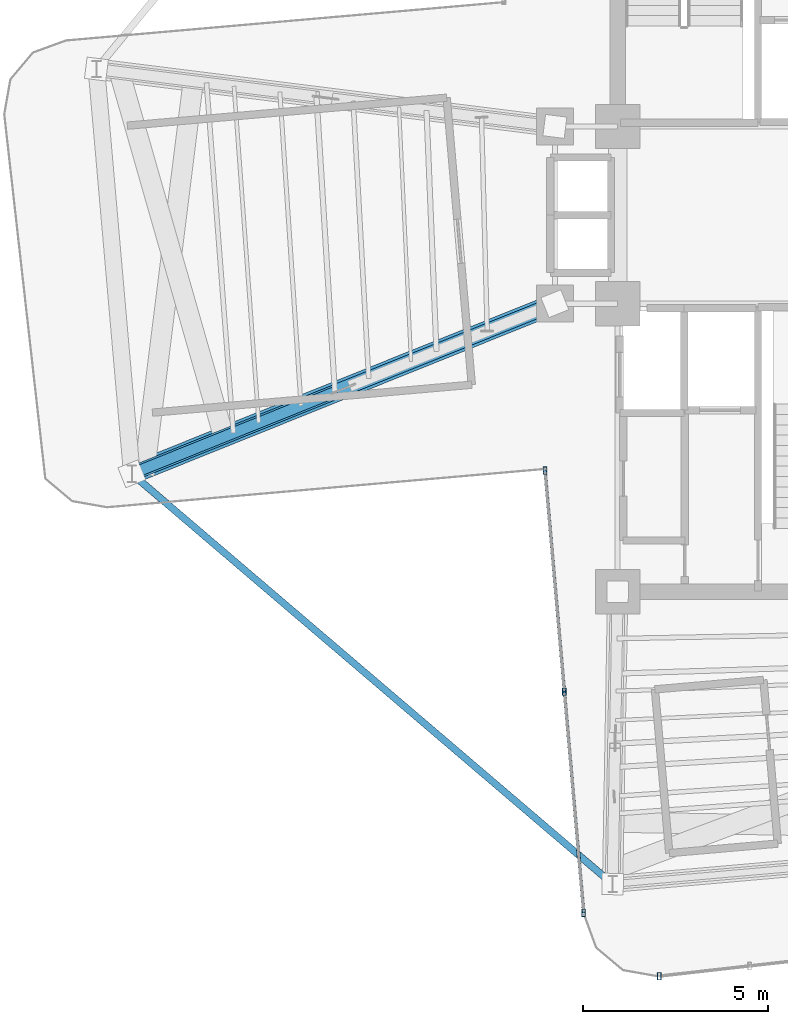
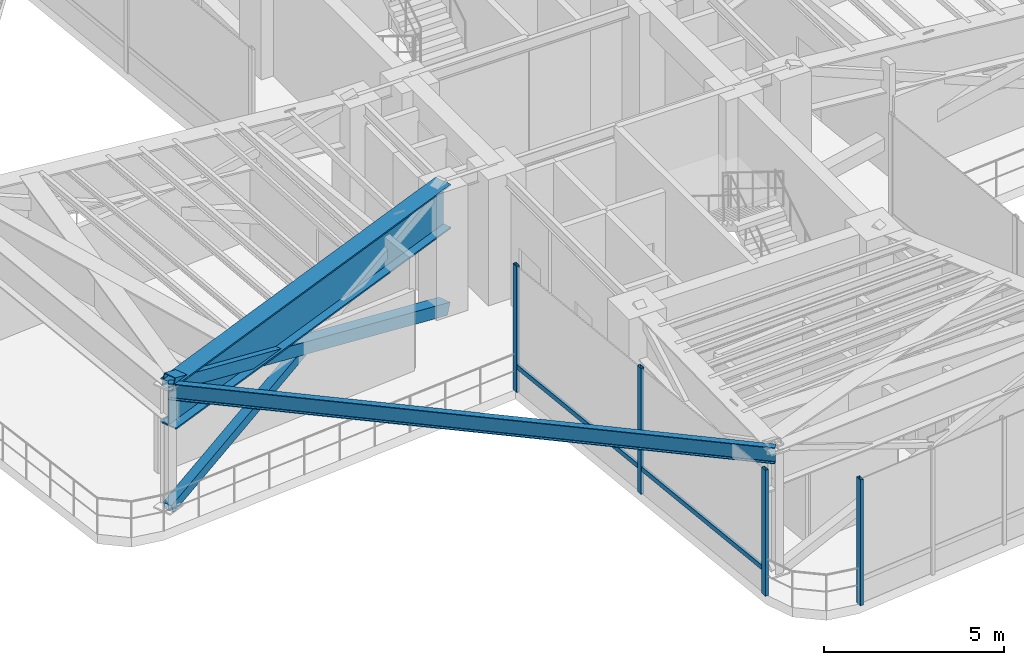
# One storey, part 3 of 17: 8 members, 2 beams, 2 elements without a shape of their own.
"""IFC4 building model written with IfcOpenShell, lengths in metres."""

from ifc_helpers import new_model, si_unit, direction, frame, origin, origin_2d, place, context, subcontext, project, spatial, hollow_rectangle, i_section, extrude, source, transform, mapped, material, material_profile, profile_set, type_object, element, aggregate, save


model = new_model("IFC4")

# Units and contexts
model_context = context("Model", 3, precision=1e-05, world=origin(), true_north=direction((0.0, 1.0)))
body_context = subcontext(model_context, "Body", "Model", "MODEL_VIEW")
ifc_project = project(units=[si_unit("LENGTHUNIT", "METRE"), si_unit("AREAUNIT", "SQUARE_METRE"), si_unit("VOLUMEUNIT", "CUBIC_METRE"), si_unit("PLANEANGLEUNIT", "RADIAN"), si_unit("MASSUNIT", "GRAM", prefix="KILO")], contexts=[model_context])

# Site, building, storey
site_placement = place(None, origin())
site = spatial("IfcSite", under=ifc_project, at=site_placement, CompositionType="ELEMENT")
building_placement = place(site_placement, origin())
building = spatial("IfcBuilding", under=site, at=building_placement, Name="Sahyath Konkavel Grand Hotel", CompositionType="ELEMENT")
storey_placement = place(building_placement, frame((0.0, 0.0, 202.0)))
storey = spatial("IfcBuildingStorey", under=building, at=storey_placement, Name="L56", CompositionType="ELEMENT", Elevation=202.0)

# Beams
ifc_material_1 = material(Name="Steel E450", Category="steel")
ifc_material_profile_1 = material_profile(ifc_material_1, i_section(OverallWidth=0.550048828125, OverallDepth=1.5, WebThickness=0.028076171875, FlangeThickness=0.050048828125, at=origin_2d()), Name="BPG 1500x550")
ifc_profile_set_1 = profile_set([ifc_material_profile_1], Name="Steel E450")
beam_type_1 = type_object("IfcBeamType", Name="BM-BPG1500", PredefinedType="BEAM", material=ifc_profile_set_1)
shared_shape_1 = source(origin(), body_context, "Body", "SweptSolid", [
    extrude(i_section(OverallWidth=0.550048828125, OverallDepth=1.5, WebThickness=0.028076171875, FlangeThickness=0.050048828125, at=origin_2d()), origin(), (0.0, 0.0, 1.0), 12.344970703125),
])
beam_1_placement = place(storey_placement, frame((-5.5, -2.39990234375, 3.510009765625), z_axis=(-0.927837014101, -0.372985891507, 0.0), x_axis=(0.372985891507, -0.927837014101, 0.0)))
element("IfcBeam", 1, at=beam_1_placement, inside=storey, type_object=beam_type_1, Name="L56 Setback Transfer Girder WB", PredefinedType="BEAM", context=body_context, shape_type="MappedRepresentation", body=[
    mapped(shared_shape_1, transform((0.0, 0.0, 0.0), scale=1.0)),
])
ifc_material_2 = material(Name="Steel E350", Category="steel")
ifc_material_profile_2 = material_profile(ifc_material_2, i_section(OverallWidth=0.18994140625, OverallDepth=0.550048828125, WebThickness=0.01123046875, FlangeThickness=0.019287109375, FilletRadius=0.01806640625, at=origin_2d()), Name="ISMB 550")
ifc_profile_set_2 = profile_set([ifc_material_profile_2], Name="Steel E350")
beam_type_2 = type_object("IfcBeamType", Name="BM-ISMB550", PredefinedType="BEAM", material=ifc_profile_set_2)
shared_shape_2 = source(origin(), body_context, "Body", "SweptSolid", [
    extrude(i_section(OverallWidth=0.18994140625, OverallDepth=0.550048828125, WebThickness=0.01123046875, FlangeThickness=0.019287109375, FilletRadius=0.01806640625, at=origin_2d()), origin(), (0.0, 0.0, 1.0), 17.11279296875),
])
beam_2_placement = place(storey_placement, frame((-16.9541015625, -7.00439453125, 3.985107421875), z_axis=(0.760711911164, -0.649089661151, 0.0), x_axis=(0.649089661151, 0.760711911164, 0.0)))
element("IfcBeam", 2, at=beam_2_placement, inside=storey, type_object=beam_type_2, Name="L56 Re-Entrant Tie Beam SW", PredefinedType="BEAM", context=body_context, shape_type="MappedRepresentation", body=[
    mapped(shared_shape_2, transform((0.0, 0.0, 0.0), scale=1.0)),
])

# Members
ifc_material_profile_3 = material_profile(ifc_material_1, hollow_rectangle(XDim=0.39990234375, YDim=0.39990234375, WallThickness=0.02001953125, at=origin_2d()), Name="SHS 400x400x20")
ifc_profile_set_3 = profile_set([ifc_material_profile_3], Name="Steel E450")
member_type_1 = type_object("IfcMemberType", Name="BR-SHS400", PredefinedType="BRACE", material=ifc_profile_set_3)
shared_shape_3 = source(origin(), body_context, "Body", "SweptSolid", [
    extrude(hollow_rectangle(XDim=0.39990234375, YDim=0.39990234375, WallThickness=0.02001953125, at=origin_2d()), origin(), (0.0, 0.0, 1.0), 13.052734375),
])
member_1_placement = place(storey_placement, frame((-5.5, -2.39990234375, 0.010009765625), z_axis=(-0.877521372111, -0.352759252238, 0.324834036777), x_axis=(0.372985891507, -0.927837014101, 0.0)))
element("IfcMember", 3, at=member_1_placement, inside=storey, type_object=member_type_1, Name="L56 Core Outrigger Truss WB Continuous Diagonal 1", PredefinedType="BRACE", context=body_context, shape_type="MappedRepresentation", body=[
    mapped(shared_shape_3, transform((0.0, 0.0, 0.0), scale=1.0)),
])
ifc_material_profile_4 = material_profile(ifc_material_1, hollow_rectangle(XDim=0.300048828125, YDim=0.300048828125, WallThickness=0.01611328125, at=origin_2d()), Name="SHS 300x300x16")
ifc_profile_set_4 = profile_set([ifc_material_profile_4], Name="Steel E450")
member_type_2 = type_object("IfcMemberType", Name="BR-SHS300", PredefinedType="BRACE", material=ifc_profile_set_4)
shared_shape_4 = source(origin(), body_context, "Body", "SweptSolid", [
    extrude(hollow_rectangle(XDim=0.300048828125, YDim=0.300048828125, WallThickness=0.01611328125, at=origin_2d()), origin(), (0.0, 0.0, 1.0), 6.286376953125),
])
member_2_placement = place(storey_placement, frame((-16.9541015625, -7.00439453125, 0.010009765625), z_axis=(0.877522771056, 0.352756774928, 0.324832947869), x_axis=(-0.37298312466, 0.927838126356, 0.0)))
element("IfcMember", 4, at=member_2_placement, inside=storey, type_object=member_type_2, Name="L56 Core Outrigger Truss WB Split Lower Diagonal 2A", PredefinedType="BRACE", context=body_context, shape_type="MappedRepresentation", body=[
    mapped(shared_shape_4, transform((0.0, 0.0, 0.0), scale=1.0)),
])

# Curtain wall, members
ifc_material_3 = material(Name="Anodised Bronze Aluminium & Low-E Glazing", Category="aluminium")
curtain_wall_type = type_object("IfcCurtainWallType", Name="CW-SKYLOBBY", PredefinedType="NOTDEFINED", material=ifc_material_3)
curtain_wall_1_placement = place(storey_placement, origin())
curtain_wall_1 = element("IfcCurtainWall", 5, at=curtain_wall_1_placement, inside=storey, type_object=curtain_wall_type, Name="L56 Unitised Curtain Wall RF24", PredefinedType="NOTDEFINED")
ifc_material_4 = material(Name="Anodised Bronze Aluminium", Category="aluminium")
ifc_material_profile_5 = material_profile(ifc_material_4, hollow_rectangle(XDim=0.10009765625, YDim=0.199951171875, WallThickness=0.008056640625, at=origin_2d()), Name="RHS 200x100x8")
ifc_profile_set_5 = profile_set([ifc_material_profile_5], Name="Anodised Bronze Aluminium")
member_type_3 = type_object("IfcMemberType", Name="CW-MUL-200", PredefinedType="MULLION", material=ifc_profile_set_5)
shared_shape_5 = source(origin(), body_context, "Body", "SweptSolid", [
    extrude(hollow_rectangle(XDim=0.10009765625, YDim=0.199951171875, WallThickness=0.008056640625, at=origin_2d()), origin(), (0.0, 0.0, 1.0), 4.260009765625),
])
member_3_placement = place(storey_placement, frame((-5.768798828125, -6.919189453125, 0.0), z_axis=(0.0, 0.0, 1.0), x_axis=(1.0, 0.0, 0.0)))
member_3 = element("IfcMember", 6, at=member_3_placement, type_object=member_type_3, Name="L56 Curtain Wall Mullion RF24-0", PredefinedType="MULLION", context=body_context, shape_type="MappedRepresentation", body=[
    mapped(shared_shape_5, transform((0.0, 0.0, 0.0), scale=1.0)),
])
member_4_placement = place(storey_placement, frame((-5.2451171875, -12.90625, 0.0), z_axis=(0.0, 0.0, 1.0), x_axis=(1.0, 0.0, 0.0)))
member_4 = element("IfcMember", 7, at=member_4_placement, type_object=member_type_3, Name="L56 Curtain Wall Mullion RF24-1", PredefinedType="MULLION", context=body_context, shape_type="MappedRepresentation", body=[
    mapped(shared_shape_5, transform((0.0, 0.0, 0.0), scale=1.0)),
])
member_5_placement = place(storey_placement, frame((-4.72119140625, -18.893310546875, 0.0), z_axis=(0.0, 0.0, 1.0), x_axis=(1.0, 0.0, 0.0)))
member_5 = element("IfcMember", 8, at=member_5_placement, type_object=member_type_3, Name="L56 Curtain Wall Mullion RF24-2", PredefinedType="MULLION", context=body_context, shape_type="MappedRepresentation", body=[
    mapped(shared_shape_5, transform((0.0, 0.0, 0.0), scale=1.0)),
])

# Curtain wall, member
curtain_wall_2_placement = place(storey_placement, origin())
curtain_wall_2 = element("IfcCurtainWall", 9, at=curtain_wall_2_placement, inside=storey, type_object=curtain_wall_type, Name="L56 Unitised Curtain Wall RF28", PredefinedType="NOTDEFINED")
member_6_placement = place(storey_placement, frame((-2.673828125, -20.610595703125, 0.0), z_axis=(0.0, 0.0, 1.0), x_axis=(1.0, 0.0, 0.0)))
member_6 = element("IfcMember", 10, at=member_6_placement, type_object=member_type_3, Name="L56 Curtain Wall Mullion RF28-0", PredefinedType="MULLION", context=body_context, shape_type="MappedRepresentation", body=[
    mapped(shared_shape_5, transform((0.0, 0.0, 0.0), scale=1.0)),
])
aggregate(curtain_wall_2, [member_6])

# Member
ifc_material_profile_6 = material_profile(ifc_material_4, hollow_rectangle(XDim=0.080078125, YDim=0.159912109375, WallThickness=0.006103515625, at=origin_2d()), Name="RHS 160x80x6")
ifc_profile_set_6 = profile_set([ifc_material_profile_6], Name="Anodised Bronze Aluminium")
member_type_4 = type_object("IfcMemberType", Name="CW-TRN-160", PredefinedType="USERDEFINED", material=ifc_profile_set_6)
shared_shape_6 = source(origin(), body_context, "Body", "SweptSolid", [
    extrude(hollow_rectangle(XDim=0.080078125, YDim=0.159912109375, WallThickness=0.006103515625, at=origin_2d()), origin(), (0.0, 0.0, 1.0), 6.010009765625),
])
member_7_placement = place(storey_placement, frame((-5.768798828125, -6.919189453125, 0.85009765625), z_axis=(0.087136210597, -0.996196406741, 0.0), x_axis=(0.996196406741, 0.087136210597, 0.0)))
member_7 = element("IfcMember", 11, at=member_7_placement, type_object=member_type_4, Name="L56 Curtain Wall Transom RF24-0-spandrel", ObjectType="TRANSOM", PredefinedType="USERDEFINED", context=body_context, shape_type="MappedRepresentation", body=[
    mapped(shared_shape_6, transform((0.0, 0.0, 0.0), scale=1.0)),
])

member_8_placement = place(storey_placement, frame((-5.2451171875, -12.90625, 0.85009765625), z_axis=(0.087176524886, -0.996192879672, 0.0), x_axis=(0.996192879672, 0.087176524886, 0.0)))
member_8 = element("IfcMember", 12, at=member_8_placement, type_object=member_type_4, Name="L56 Curtain Wall Transom RF24-1-spandrel", ObjectType="TRANSOM", PredefinedType="USERDEFINED", context=body_context, shape_type="MappedRepresentation", body=[
    mapped(shared_shape_6, transform((0.0, 0.0, 0.0), scale=1.0)),
])

aggregate(curtain_wall_1, [member_3, member_4, member_5, member_7, member_8])

save(model, "model.ifc")
